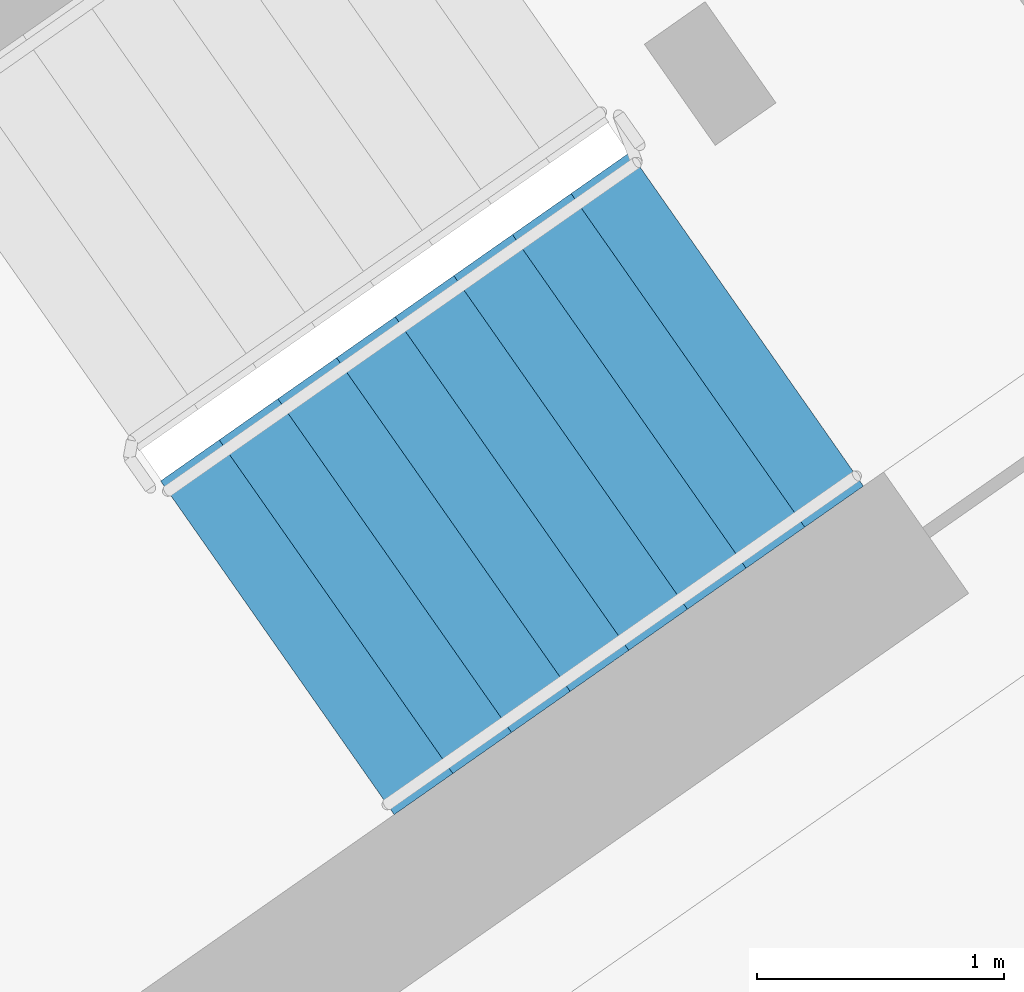
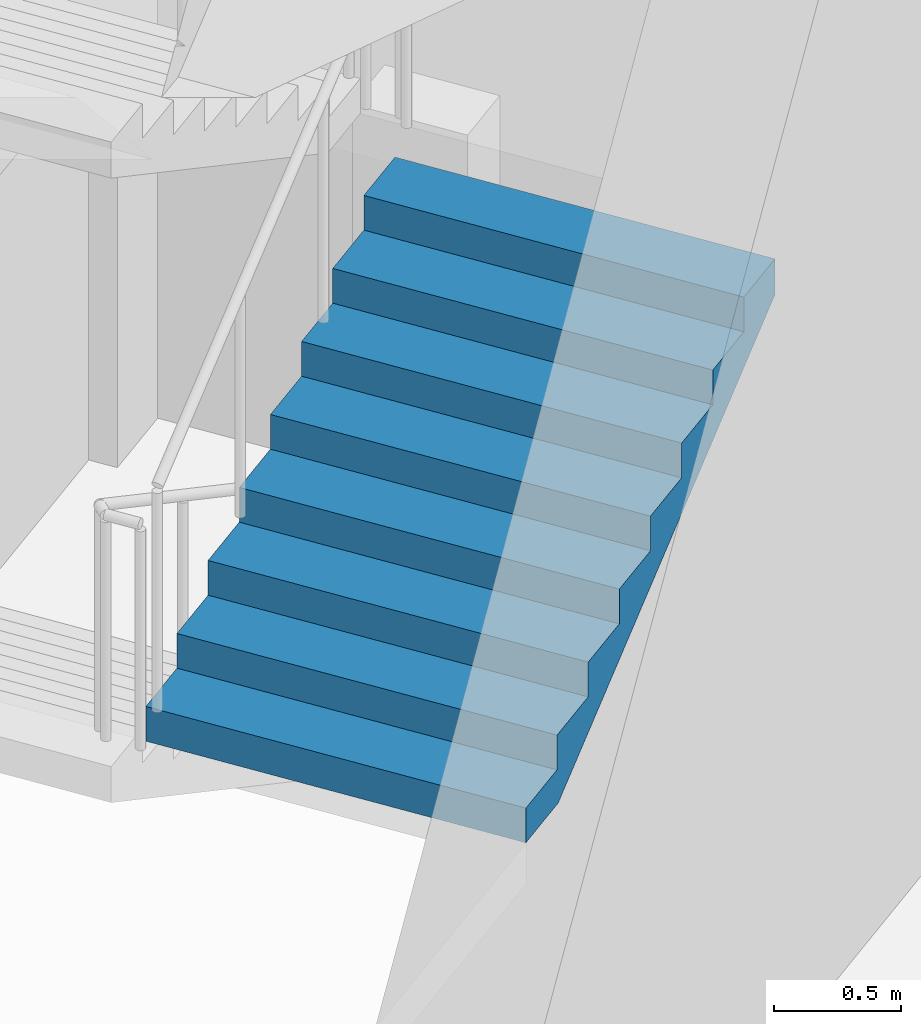
# One storey, part 16 of 41: 1 stair flight, 1 element without a shape of its own.
"""IFC4 building model written with IfcOpenShell, lengths in metres."""

from ifc_helpers import new_model, si_unit, direction, frame, origin, place, context, subcontext, project, spatial, faceted_brep, material, type_object, element, aggregate, save


model = new_model("IFC4")

# Units and contexts
model_context = context("Model", 3, precision=1e-05, world=origin(), true_north=direction((0.0, 1.0)))
body_context = subcontext(model_context, "Body", "Model", "MODEL_VIEW")
ifc_project = project(units=[si_unit("LENGTHUNIT", "METRE"), si_unit("AREAUNIT", "SQUARE_METRE"), si_unit("VOLUMEUNIT", "CUBIC_METRE"), si_unit("PLANEANGLEUNIT", "RADIAN"), si_unit("MASSUNIT", "GRAM", prefix="KILO")], contexts=[model_context])

# Site, building, storey
site_placement = place(None, origin())
site = spatial("IfcSite", under=ifc_project, at=site_placement, CompositionType="ELEMENT")
building_placement = place(site_placement, origin())
building = spatial("IfcBuilding", under=site, at=building_placement, Name="Qamariyya Broadcast Tower", CompositionType="ELEMENT")
storey_placement = place(building_placement, frame((0.0, 0.0, 284.699951171875)))
storey = spatial("IfcBuildingStorey", under=building, at=storey_placement, Name="L69", CompositionType="ELEMENT", Elevation=284.699951171875)

# Stair, stair flight
ifc_material = material(Name="Concrete C50/60", Category="concrete")
stair_type = type_object("IfcStairType", Name="Exit stair 36 risers of 167 mm", PredefinedType="HALF_TURN_STAIR", material=ifc_material)
stair_placement = place(storey_placement, origin())
stair = element("IfcStair", 1, at=stair_placement, inside=storey, type_object=stair_type, Name="L69 Stair E1", PredefinedType="HALF_TURN_STAIR")
stair_flight_type = type_object("IfcStairFlightType", Name="Exit stair flight 9 risers of 167 mm", PredefinedType="STRAIGHT", material=ifc_material)
stair_flight_placement = place(storey_placement, frame((45.16845703125, -58.313232421875, 1.5), z_axis=(0.0, 0.0, 1.0), x_axis=(0.819152044289, 0.573576436351, 0.0)))
stair_flight = element("IfcStairFlight", 2, at=stair_flight_placement, type_object=stair_flight_type, Name="ST-E1 flight 2", NumberOfRisers=9, NumberOfTreads=8, PredefinedType="STRAIGHT", RiserHeight=0.166666667, TreadLength=0.29, context=body_context, shape_type="Brep", body=[
    faceted_brep([(0.0, 0.824951171875, 0.0), (0.0, 0.824951171875, 0.166748046875), (0.2900390625, 0.824951171875, 0.166748046875), (0.2900390625, 0.824951171875, 0.333251953125), (0.580078125, 0.824951171875, 0.333251953125), (0.580078125, 0.824951171875, 0.5), (0.8701171875, 0.824951171875, 0.5), (0.8701171875, 0.824951171875, 0.666748046875), (1.159912109375, 0.824951171875, 0.666748046875), (1.159912109375, 0.824951171875, 0.833251953125), (1.449951171875, 0.824951171875, 0.833251953125), (1.449951171875, 0.824951171875, 1.0), (1.739990234375, 0.824951171875, 1.0), (1.739990234375, 0.824951171875, 1.166748046875), (2.030029296875, 0.824951171875, 1.166748046875), (2.030029296875, 0.824951171875, 1.333251953125), (2.320068359375, 0.824951171875, 1.333251953125), (2.320068359375, 0.824951171875, 1.160400390625), (0.30078125, 0.824951171875, 0.0), (0.30078125, -0.824951171875, 0.0), (2.320068359375, -0.824951171875, 1.160400390625), (2.320068359375, -0.824951171875, 1.333251953125), (2.030029296875, -0.824951171875, 1.333251953125), (2.030029296875, -0.824951171875, 1.166748046875), (1.739990234375, -0.824951171875, 1.166748046875), (1.739990234375, -0.824951171875, 1.0), (1.449951171875, -0.824951171875, 1.0), (1.449951171875, -0.824951171875, 0.833251953125), (1.159912109375, -0.824951171875, 0.833251953125), (1.159912109375, -0.824951171875, 0.666748046875), (0.8701171875, -0.824951171875, 0.666748046875), (0.8701171875, -0.824951171875, 0.5), (0.580078125, -0.824951171875, 0.5), (0.580078125, -0.824951171875, 0.333251953125), (0.2900390625, -0.824951171875, 0.333251953125), (0.2900390625, -0.824951171875, 0.166748046875), (0.0, -0.824951171875, 0.166748046875), (0.0, -0.824951171875, 0.0), (0.0, 0.10009765625, 0.0), (0.0, 0.086669921875, 0.0), (0.0, 0.0732421875, 0.0), (0.0, 0.06005859375, 0.0), (0.0, 0.046630859375, 0.0), (0.0, 0.033447265625, 0.0), (0.0, 0.02001953125, 0.0), (0.0, 0.006591796875, 0.0), (0.0, -0.006591796875, 0.0), (0.0, -0.02001953125, 0.0), (0.0, -0.033447265625, 0.0), (0.0, -0.046630859375, 0.0), (0.0, -0.06005859375, 0.0), (0.0, -0.0732421875, 0.0), (0.0, -0.086669921875, 0.0), (0.0, -0.10009765625, 0.0), (0.0, -0.10009765625, 0.166748046875), (0.0, -0.086669921875, 0.166748046875), (0.0, -0.0732421875, 0.166748046875), (0.0, -0.06005859375, 0.166748046875), (0.0, -0.046630859375, 0.166748046875), (0.0, -0.033447265625, 0.166748046875), (0.0, -0.02001953125, 0.166748046875), (0.0, -0.006591796875, 0.166748046875), (0.0, 0.006591796875, 0.166748046875), (0.0, 0.02001953125, 0.166748046875), (0.0, 0.033447265625, 0.166748046875), (0.0, 0.046630859375, 0.166748046875), (0.0, 0.06005859375, 0.166748046875), (0.0, 0.0732421875, 0.166748046875), (0.0, 0.086669921875, 0.166748046875), (0.0, 0.10009765625, 0.166748046875), (0.2900390625, -0.10009765625, 0.166748046875), (0.2900390625, -0.086669921875, 0.166748046875), (0.2900390625, -0.0732421875, 0.166748046875), (0.2900390625, -0.06005859375, 0.166748046875), (0.2900390625, -0.046630859375, 0.166748046875), (0.2900390625, -0.033447265625, 0.166748046875), (0.2900390625, -0.02001953125, 0.166748046875), (0.2900390625, -0.006591796875, 0.166748046875), (0.2900390625, 0.006591796875, 0.166748046875), (0.2900390625, 0.02001953125, 0.166748046875), (0.2900390625, 0.033447265625, 0.166748046875), (0.2900390625, 0.046630859375, 0.166748046875), (0.2900390625, 0.06005859375, 0.166748046875), (0.2900390625, 0.0732421875, 0.166748046875), (0.2900390625, 0.086669921875, 0.166748046875), (0.2900390625, 0.10009765625, 0.166748046875), (0.2900390625, -0.10009765625, 0.333251953125), (0.2900390625, -0.086669921875, 0.333251953125), (0.2900390625, -0.0732421875, 0.333251953125), (0.2900390625, -0.06005859375, 0.333251953125), (0.2900390625, -0.046630859375, 0.333251953125), (0.2900390625, -0.033447265625, 0.333251953125), (0.2900390625, -0.02001953125, 0.333251953125), (0.2900390625, -0.006591796875, 0.333251953125), (0.2900390625, 0.006591796875, 0.333251953125), (0.2900390625, 0.02001953125, 0.333251953125), (0.2900390625, 0.033447265625, 0.333251953125), (0.2900390625, 0.046630859375, 0.333251953125), (0.2900390625, 0.06005859375, 0.333251953125), (0.2900390625, 0.0732421875, 0.333251953125), (0.2900390625, 0.086669921875, 0.333251953125), (0.2900390625, 0.10009765625, 0.333251953125), (0.580078125, -0.10009765625, 0.333251953125), (0.580078125, -0.086669921875, 0.333251953125), (0.580078125, -0.0732421875, 0.333251953125), (0.580078125, -0.06005859375, 0.333251953125), (0.580078125, -0.046630859375, 0.333251953125), (0.580078125, -0.033447265625, 0.333251953125), (0.580078125, -0.02001953125, 0.333251953125), (0.580078125, -0.006591796875, 0.333251953125), (0.580078125, 0.006591796875, 0.333251953125), (0.580078125, 0.02001953125, 0.333251953125), (0.580078125, 0.033447265625, 0.333251953125), (0.580078125, 0.046630859375, 0.333251953125), (0.580078125, 0.06005859375, 0.333251953125), (0.580078125, 0.0732421875, 0.333251953125), (0.580078125, 0.086669921875, 0.333251953125), (0.580078125, 0.10009765625, 0.333251953125), (0.580078125, -0.10009765625, 0.5), (0.580078125, -0.086669921875, 0.5), (0.580078125, -0.0732421875, 0.5), (0.580078125, -0.06005859375, 0.5), (0.580078125, -0.046630859375, 0.5), (0.580078125, -0.033447265625, 0.5), (0.580078125, -0.02001953125, 0.5), (0.580078125, -0.006591796875, 0.5), (0.580078125, 0.006591796875, 0.5), (0.580078125, 0.02001953125, 0.5), (0.580078125, 0.033447265625, 0.5), (0.580078125, 0.046630859375, 0.5), (0.580078125, 0.06005859375, 0.5), (0.580078125, 0.0732421875, 0.5), (0.580078125, 0.086669921875, 0.5), (0.580078125, 0.10009765625, 0.5), (0.8701171875, -0.10009765625, 0.5), (0.8701171875, -0.086669921875, 0.5), (0.8701171875, -0.0732421875, 0.5), (0.8701171875, -0.06005859375, 0.5), (0.8701171875, -0.046630859375, 0.5), (0.8701171875, -0.033447265625, 0.5), (0.8701171875, -0.02001953125, 0.5), (0.8701171875, -0.006591796875, 0.5), (0.8701171875, 0.006591796875, 0.5), (0.8701171875, 0.02001953125, 0.5), (0.8701171875, 0.033447265625, 0.5), (0.8701171875, 0.046630859375, 0.5), (0.8701171875, 0.06005859375, 0.5), (0.8701171875, 0.0732421875, 0.5), (0.8701171875, 0.086669921875, 0.5), (0.8701171875, 0.10009765625, 0.5), (0.8701171875, -0.10009765625, 0.666748046875), (0.8701171875, -0.086669921875, 0.666748046875), (0.8701171875, -0.0732421875, 0.666748046875), (0.8701171875, -0.06005859375, 0.666748046875), (0.8701171875, -0.046630859375, 0.666748046875), (0.8701171875, -0.033447265625, 0.666748046875), (0.8701171875, -0.02001953125, 0.666748046875), (0.8701171875, -0.006591796875, 0.666748046875), (0.8701171875, 0.006591796875, 0.666748046875), (0.8701171875, 0.02001953125, 0.666748046875), (0.8701171875, 0.033447265625, 0.666748046875), (0.8701171875, 0.046630859375, 0.666748046875), (0.8701171875, 0.06005859375, 0.666748046875), (0.8701171875, 0.0732421875, 0.666748046875), (0.8701171875, 0.086669921875, 0.666748046875), (0.8701171875, 0.10009765625, 0.666748046875), (1.159912109375, -0.10009765625, 0.666748046875), (1.159912109375, -0.086669921875, 0.666748046875), (1.159912109375, -0.0732421875, 0.666748046875), (1.159912109375, -0.06005859375, 0.666748046875), (1.159912109375, -0.046630859375, 0.666748046875), (1.159912109375, -0.033447265625, 0.666748046875), (1.159912109375, -0.02001953125, 0.666748046875), (1.159912109375, -0.006591796875, 0.666748046875), (1.159912109375, 0.006591796875, 0.666748046875), (1.159912109375, 0.02001953125, 0.666748046875), (1.159912109375, 0.033447265625, 0.666748046875), (1.159912109375, 0.046630859375, 0.666748046875), (1.159912109375, 0.06005859375, 0.666748046875), (1.159912109375, 0.0732421875, 0.666748046875), (1.159912109375, 0.086669921875, 0.666748046875), (1.159912109375, 0.10009765625, 0.666748046875), (1.159912109375, -0.10009765625, 0.833251953125), (1.159912109375, -0.086669921875, 0.833251953125), (1.159912109375, -0.0732421875, 0.833251953125), (1.159912109375, -0.06005859375, 0.833251953125), (1.159912109375, -0.046630859375, 0.833251953125), (1.159912109375, -0.033447265625, 0.833251953125), (1.159912109375, -0.02001953125, 0.833251953125), (1.159912109375, -0.006591796875, 0.833251953125), (1.159912109375, 0.006591796875, 0.833251953125), (1.159912109375, 0.02001953125, 0.833251953125), (1.159912109375, 0.033447265625, 0.833251953125), (1.159912109375, 0.046630859375, 0.833251953125), (1.159912109375, 0.06005859375, 0.833251953125), (1.159912109375, 0.0732421875, 0.833251953125), (1.159912109375, 0.086669921875, 0.833251953125), (1.159912109375, 0.10009765625, 0.833251953125), (1.449951171875, -0.10009765625, 0.833251953125), (1.449951171875, -0.086669921875, 0.833251953125), (1.449951171875, -0.0732421875, 0.833251953125), (1.449951171875, -0.06005859375, 0.833251953125), (1.449951171875, -0.046630859375, 0.833251953125), (1.449951171875, -0.033447265625, 0.833251953125), (1.449951171875, -0.02001953125, 0.833251953125), (1.449951171875, -0.006591796875, 0.833251953125), (1.449951171875, 0.006591796875, 0.833251953125), (1.449951171875, 0.02001953125, 0.833251953125), (1.449951171875, 0.033447265625, 0.833251953125), (1.449951171875, 0.046630859375, 0.833251953125), (1.449951171875, 0.06005859375, 0.833251953125), (1.449951171875, 0.0732421875, 0.833251953125), (1.449951171875, 0.086669921875, 0.833251953125), (1.449951171875, 0.10009765625, 0.833251953125), (1.449951171875, -0.10009765625, 1.0), (1.449951171875, -0.086669921875, 1.0), (1.449951171875, -0.0732421875, 1.0), (1.449951171875, -0.06005859375, 1.0), (1.449951171875, -0.046630859375, 1.0), (1.449951171875, -0.033447265625, 1.0), (1.449951171875, -0.02001953125, 1.0), (1.449951171875, -0.006591796875, 1.0), (1.449951171875, 0.006591796875, 1.0), (1.449951171875, 0.02001953125, 1.0), (1.449951171875, 0.033447265625, 1.0), (1.449951171875, 0.046630859375, 1.0), (1.449951171875, 0.06005859375, 1.0), (1.449951171875, 0.0732421875, 1.0), (1.449951171875, 0.086669921875, 1.0), (1.449951171875, 0.10009765625, 1.0), (1.739990234375, -0.10009765625, 1.0), (1.739990234375, -0.086669921875, 1.0), (1.739990234375, -0.0732421875, 1.0), (1.739990234375, -0.06005859375, 1.0), (1.739990234375, -0.046630859375, 1.0), (1.739990234375, -0.033447265625, 1.0), (1.739990234375, -0.02001953125, 1.0), (1.739990234375, -0.006591796875, 1.0), (1.739990234375, 0.006591796875, 1.0), (1.739990234375, 0.02001953125, 1.0), (1.739990234375, 0.033447265625, 1.0), (1.739990234375, 0.046630859375, 1.0), (1.739990234375, 0.06005859375, 1.0), (1.739990234375, 0.0732421875, 1.0), (1.739990234375, 0.086669921875, 1.0), (1.739990234375, 0.10009765625, 1.0), (1.739990234375, -0.10009765625, 1.166748046875), (1.739990234375, -0.086669921875, 1.166748046875), (1.739990234375, -0.0732421875, 1.166748046875), (1.739990234375, -0.06005859375, 1.166748046875), (1.739990234375, -0.046630859375, 1.166748046875), (1.739990234375, -0.033447265625, 1.166748046875), (1.739990234375, -0.02001953125, 1.166748046875), (1.739990234375, -0.006591796875, 1.166748046875), (1.739990234375, 0.006591796875, 1.166748046875), (1.739990234375, 0.02001953125, 1.166748046875), (1.739990234375, 0.033447265625, 1.166748046875), (1.739990234375, 0.046630859375, 1.166748046875), (1.739990234375, 0.06005859375, 1.166748046875), (1.739990234375, 0.0732421875, 1.166748046875), (1.739990234375, 0.086669921875, 1.166748046875), (1.739990234375, 0.10009765625, 1.166748046875), (2.030029296875, -0.10009765625, 1.166748046875), (2.030029296875, -0.086669921875, 1.166748046875), (2.030029296875, -0.0732421875, 1.166748046875), (2.030029296875, -0.06005859375, 1.166748046875), (2.030029296875, -0.046630859375, 1.166748046875), (2.030029296875, -0.033447265625, 1.166748046875), (2.030029296875, -0.02001953125, 1.166748046875), (2.030029296875, -0.006591796875, 1.166748046875), (2.030029296875, 0.006591796875, 1.166748046875), (2.030029296875, 0.02001953125, 1.166748046875), (2.030029296875, 0.033447265625, 1.166748046875), (2.030029296875, 0.046630859375, 1.166748046875), (2.030029296875, 0.06005859375, 1.166748046875), (2.030029296875, 0.0732421875, 1.166748046875), (2.030029296875, 0.086669921875, 1.166748046875), (2.030029296875, 0.10009765625, 1.166748046875), (2.030029296875, -0.10009765625, 1.333251953125), (2.030029296875, -0.086669921875, 1.333251953125), (2.030029296875, -0.0732421875, 1.333251953125), (2.030029296875, -0.06005859375, 1.333251953125), (2.030029296875, -0.046630859375, 1.333251953125), (2.030029296875, -0.033447265625, 1.333251953125), (2.030029296875, -0.02001953125, 1.333251953125), (2.030029296875, -0.006591796875, 1.333251953125), (2.030029296875, 0.006591796875, 1.333251953125), (2.030029296875, 0.02001953125, 1.333251953125), (2.030029296875, 0.033447265625, 1.333251953125), (2.030029296875, 0.046630859375, 1.333251953125), (2.030029296875, 0.06005859375, 1.333251953125), (2.030029296875, 0.0732421875, 1.333251953125), (2.030029296875, 0.086669921875, 1.333251953125), (2.030029296875, 0.10009765625, 1.333251953125), (2.320068359375, -0.10009765625, 1.333251953125), (2.320068359375, -0.086669921875, 1.333251953125), (2.320068359375, -0.0732421875, 1.333251953125), (2.320068359375, -0.06005859375, 1.333251953125), (2.320068359375, -0.046630859375, 1.333251953125), (2.320068359375, -0.033447265625, 1.333251953125), (2.320068359375, -0.02001953125, 1.333251953125), (2.320068359375, -0.006591796875, 1.333251953125), (2.320068359375, 0.006591796875, 1.333251953125), (2.320068359375, 0.02001953125, 1.333251953125), (2.320068359375, 0.033447265625, 1.333251953125), (2.320068359375, 0.046630859375, 1.333251953125), (2.320068359375, 0.06005859375, 1.333251953125), (2.320068359375, 0.0732421875, 1.333251953125), (2.320068359375, 0.086669921875, 1.333251953125), (2.320068359375, 0.10009765625, 1.333251953125), (2.320068359375, -0.10009765625, 1.160400390625), (2.320068359375, -0.086669921875, 1.160400390625), (2.320068359375, -0.0732421875, 1.160400390625), (2.320068359375, -0.06005859375, 1.160400390625), (2.320068359375, -0.046630859375, 1.160400390625), (2.320068359375, -0.033447265625, 1.160400390625), (2.320068359375, -0.02001953125, 1.160400390625), (2.320068359375, -0.006591796875, 1.160400390625), (2.320068359375, 0.006591796875, 1.160400390625), (2.320068359375, 0.02001953125, 1.160400390625), (2.320068359375, 0.033447265625, 1.160400390625), (2.320068359375, 0.046630859375, 1.160400390625), (2.320068359375, 0.06005859375, 1.160400390625), (2.320068359375, 0.0732421875, 1.160400390625), (2.320068359375, 0.086669921875, 1.160400390625), (2.320068359375, 0.10009765625, 1.160400390625), (0.30078125, -0.10009765625, 0.0), (0.30078125, -0.086669921875, 0.0), (0.30078125, -0.0732421875, 0.0), (0.30078125, -0.06005859375, 0.0), (0.30078125, -0.046630859375, 0.0), (0.30078125, -0.033447265625, 0.0), (0.30078125, -0.02001953125, 0.0), (0.30078125, -0.006591796875, 0.0), (0.30078125, 0.006591796875, 0.0), (0.30078125, 0.02001953125, 0.0), (0.30078125, 0.033447265625, 0.0), (0.30078125, 0.046630859375, 0.0), (0.30078125, 0.06005859375, 0.0), (0.30078125, 0.0732421875, 0.0), (0.30078125, 0.086669921875, 0.0), (0.30078125, 0.10009765625, 0.0)], [[[0, 1, 2, 3, 4, 5, 6, 7, 8, 9, 10, 11, 12, 13, 14, 15, 16, 17, 18]], [[19, 20, 21, 22, 23, 24, 25, 26, 27, 28, 29, 30, 31, 32, 33, 34, 35, 36, 37]], [[0, 38, 39, 40, 41, 42, 43, 44, 45, 46, 47, 48, 49, 50, 51, 52, 53, 37, 36, 54, 55, 56, 57, 58, 59, 60, 61, 62, 63, 64, 65, 66, 67, 68, 69, 1]], [[1, 69, 68, 67, 66, 65, 64, 63, 62, 61, 60, 59, 58, 57, 56, 55, 54, 36, 35, 70, 71, 72, 73, 74, 75, 76, 77, 78, 79, 80, 81, 82, 83, 84, 85, 2]], [[2, 85, 84, 83, 82, 81, 80, 79, 78, 77, 76, 75, 74, 73, 72, 71, 70, 35, 34, 86, 87, 88, 89, 90, 91, 92, 93, 94, 95, 96, 97, 98, 99, 100, 101, 3]], [[3, 101, 100, 99, 98, 97, 96, 95, 94, 93, 92, 91, 90, 89, 88, 87, 86, 34, 33, 102, 103, 104, 105, 106, 107, 108, 109, 110, 111, 112, 113, 114, 115, 116, 117, 4]], [[4, 117, 116, 115, 114, 113, 112, 111, 110, 109, 108, 107, 106, 105, 104, 103, 102, 33, 32, 118, 119, 120, 121, 122, 123, 124, 125, 126, 127, 128, 129, 130, 131, 132, 133, 5]], [[5, 133, 132, 131, 130, 129, 128, 127, 126, 125, 124, 123, 122, 121, 120, 119, 118, 32, 31, 134, 135, 136, 137, 138, 139, 140, 141, 142, 143, 144, 145, 146, 147, 148, 149, 6]], [[6, 149, 148, 147, 146, 145, 144, 143, 142, 141, 140, 139, 138, 137, 136, 135, 134, 31, 30, 150, 151, 152, 153, 154, 155, 156, 157, 158, 159, 160, 161, 162, 163, 164, 165, 7]], [[7, 165, 164, 163, 162, 161, 160, 159, 158, 157, 156, 155, 154, 153, 152, 151, 150, 30, 29, 166, 167, 168, 169, 170, 171, 172, 173, 174, 175, 176, 177, 178, 179, 180, 181, 8]], [[8, 181, 180, 179, 178, 177, 176, 175, 174, 173, 172, 171, 170, 169, 168, 167, 166, 29, 28, 182, 183, 184, 185, 186, 187, 188, 189, 190, 191, 192, 193, 194, 195, 196, 197, 9]], [[9, 197, 196, 195, 194, 193, 192, 191, 190, 189, 188, 187, 186, 185, 184, 183, 182, 28, 27, 198, 199, 200, 201, 202, 203, 204, 205, 206, 207, 208, 209, 210, 211, 212, 213, 10]], [[10, 213, 212, 211, 210, 209, 208, 207, 206, 205, 204, 203, 202, 201, 200, 199, 198, 27, 26, 214, 215, 216, 217, 218, 219, 220, 221, 222, 223, 224, 225, 226, 227, 228, 229, 11]], [[11, 229, 228, 227, 226, 225, 224, 223, 222, 221, 220, 219, 218, 217, 216, 215, 214, 26, 25, 230, 231, 232, 233, 234, 235, 236, 237, 238, 239, 240, 241, 242, 243, 244, 245, 12]], [[12, 245, 244, 243, 242, 241, 240, 239, 238, 237, 236, 235, 234, 233, 232, 231, 230, 25, 24, 246, 247, 248, 249, 250, 251, 252, 253, 254, 255, 256, 257, 258, 259, 260, 261, 13]], [[13, 261, 260, 259, 258, 257, 256, 255, 254, 253, 252, 251, 250, 249, 248, 247, 246, 24, 23, 262, 263, 264, 265, 266, 267, 268, 269, 270, 271, 272, 273, 274, 275, 276, 277, 14]], [[14, 277, 276, 275, 274, 273, 272, 271, 270, 269, 268, 267, 266, 265, 264, 263, 262, 23, 22, 278, 279, 280, 281, 282, 283, 284, 285, 286, 287, 288, 289, 290, 291, 292, 293, 15]], [[15, 293, 292, 291, 290, 289, 288, 287, 286, 285, 284, 283, 282, 281, 280, 279, 278, 22, 21, 294, 295, 296, 297, 298, 299, 300, 301, 302, 303, 304, 305, 306, 307, 308, 309, 16]], [[16, 309, 308, 307, 306, 305, 304, 303, 302, 301, 300, 299, 298, 297, 296, 295, 294, 21, 20, 310, 311, 312, 313, 314, 315, 316, 317, 318, 319, 320, 321, 322, 323, 324, 325, 17]], [[17, 325, 324, 323, 322, 321, 320, 319, 318, 317, 316, 315, 314, 313, 312, 311, 310, 20, 19, 326, 327, 328, 329, 330, 331, 332, 333, 334, 335, 336, 337, 338, 339, 340, 341, 18]], [[18, 341, 340, 339, 338, 337, 336, 335, 334, 333, 332, 331, 330, 329, 328, 327, 326, 19, 37, 53, 52, 51, 50, 49, 48, 47, 46, 45, 44, 43, 42, 41, 40, 39, 38, 0]]]),
])
aggregate(stair, [stair_flight])

save(model, "model.ifc")
